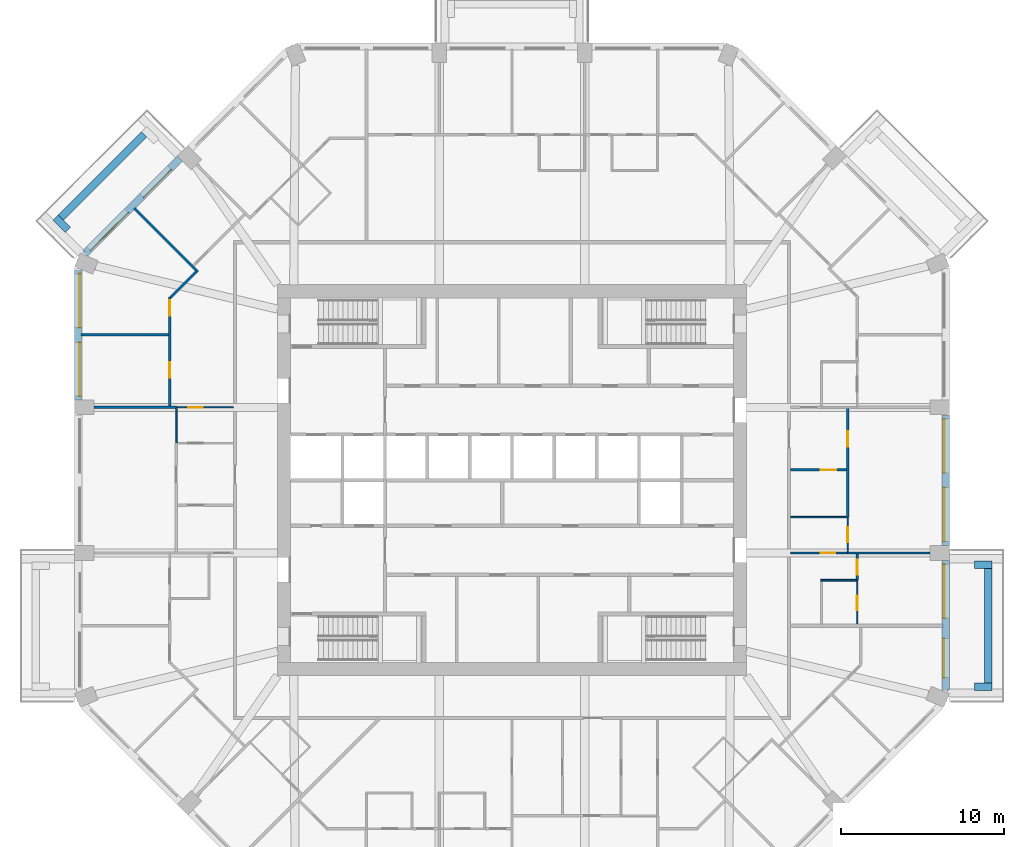
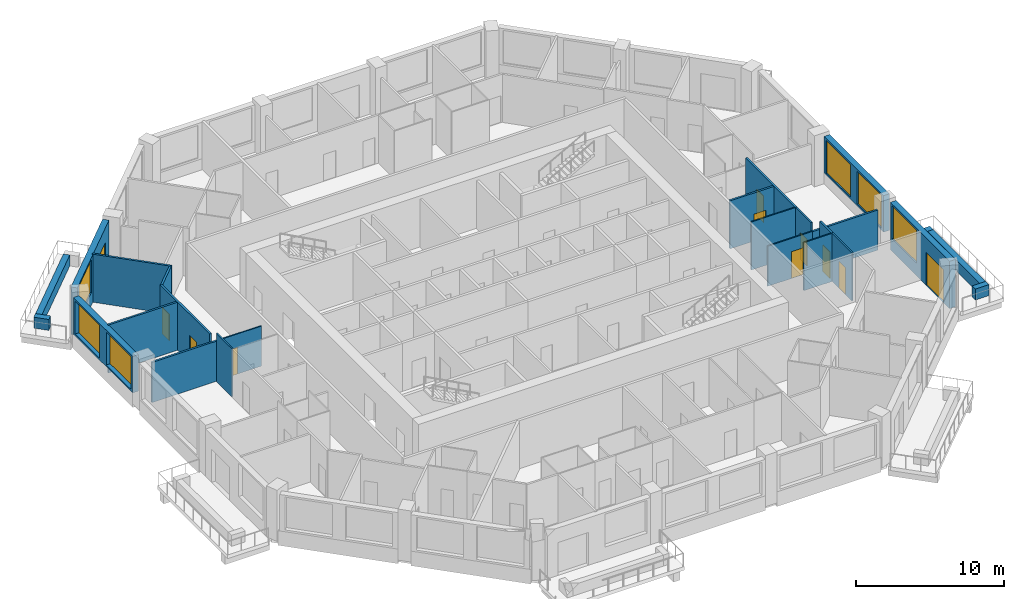
# One storey, part 7 of 12: 25 walls, 11 doors, 6 windows, 17 openings.
"""IFC4 building model written with IfcOpenShell, lengths in metres."""

from ifc_helpers import new_model, si_unit, direction, frame, frame_2d, origin, place, context, subcontext, project, spatial, rectangle, extrude, material, layer, layer_set, type_object, element, fill, save


model = new_model("IFC4")

# Units and contexts
model_context = context("Model", 3, precision=1e-05, world=origin(), true_north=direction((0.0, 1.0)))
body_context = subcontext(model_context, "Body", "Model", "MODEL_VIEW")
ifc_project = project(units=[si_unit("LENGTHUNIT", "METRE"), si_unit("AREAUNIT", "SQUARE_METRE"), si_unit("VOLUMEUNIT", "CUBIC_METRE"), si_unit("PLANEANGLEUNIT", "RADIAN"), si_unit("MASSUNIT", "GRAM", prefix="KILO")], contexts=[model_context])

# Site, building, storey
site_placement = place(None, origin())
site = spatial("IfcSite", under=ifc_project, at=site_placement, CompositionType="ELEMENT")
building_placement = place(site_placement, origin())
building = spatial("IfcBuilding", under=site, at=building_placement, Name="Msitu Wima Residences", CompositionType="ELEMENT")
storey_placement = place(building_placement, frame((0.0, 0.0, 127.5)))
storey = spatial("IfcBuildingStorey", under=building, at=storey_placement, Name="L29", CompositionType="ELEMENT", Elevation=127.5)

# Walls
ifc_material_1 = material(Name="Facing brick")
ifc_layer_1 = layer(ifc_material_1, 0.06494140625, Name="Facing brick")
ifc_material_2 = material(Name="Concrete C40/50", Category="concrete")
ifc_layer_2 = layer(ifc_material_2, 0.156005859375, Name="Concrete C40/50")
ifc_material_3 = material(Name="Waterproofing membrane")
ifc_layer_3 = layer(ifc_material_3, 0.00390625, Name="Waterproofing membrane")
ifc_material_4 = material(Name="Planting soil and planting")
ifc_layer_4 = layer(ifc_material_4, 0.22509765625, Name="Planting soil and planting")
ifc_layer_set_1 = layer_set([ifc_layer_1, ifc_layer_2, ifc_layer_3, ifc_layer_4], Name="Concrete C40/50")
wall_type_1 = type_object("IfcWallType", Name="Balcony planter PLANTER PL450", PredefinedType="USERDEFINED", material=ifc_layer_set_1)
wall_1_placement = place(storey_placement, frame((29.22509765625, -12.455810546875, 0.0), z_axis=(0.0, 0.0, 1.0), x_axis=(0.0, 1.0, 0.0)))
element("IfcWall", 1, at=wall_1_placement, inside=storey, type_object=wall_type_1, Name="Balcony planter E0 L29", ObjectType="PLANTER", PredefinedType="USERDEFINED", context=body_context, shape_type="SweptSolid", body=[
    extrude(rectangle(XDim=7.037109375, YDim=0.449951171875, at=frame_2d((3.5185546875, 0.0))), origin(), (0.0, 0.0, 1.0), 0.89990234375),
])
for number, where, z_axis, x_axis, name in (
    (2, (28.39990234375, -12.680908203125, 0.0), (0.0, 0.0, 1.0), (1.0, 0.0, 0.0), "Balcony planter E0 L29"),
    (3, (28.39990234375, -5.193603515625, 0.0), (0.0, 0.0, 1.0), (1.0, 0.0, 0.0), "Balcony planter E0 L29"),
):
    element("IfcWall", number, at=place(storey_placement, frame(where, z_axis=z_axis, x_axis=x_axis)), inside=storey, type_object=wall_type_1, Name=name, ObjectType="PLANTER", PredefinedType="USERDEFINED", context=body_context, shape_type="SweptSolid", body=[
        extrude(rectangle(XDim=1.050048828125, YDim=0.449951171875, at=frame_2d((0.52490234375, 0.0))), origin(), (0.0, 0.0, 1.0), 0.89990234375),
    ])
wall_2_placement = place(storey_placement, frame((-22.572265625, 21.228759765625, 0.0), z_axis=(0.0, 0.0, 1.0), x_axis=(-0.707106781187, -0.707106781187, 0.0)))
element("IfcWall", 4, at=wall_2_placement, inside=storey, type_object=wall_type_1, Name="Balcony planter NW1 L29", ObjectType="PLANTER", PredefinedType="USERDEFINED", context=body_context, shape_type="SweptSolid", body=[
    extrude(rectangle(XDim=7.23828125, YDim=0.449951171875, at=frame_2d((3.619140625, 0.0))), origin(), (0.0, 0.0, 1.0), 0.89990234375),
])
wall_3_placement = place(storey_placement, frame((-27.26611328125, 15.3681640625, 0.0), z_axis=(0.0, 0.0, 1.0), x_axis=(-0.707223014731, 0.706990528533, 0.0)))
element("IfcWall", 5, at=wall_3_placement, inside=storey, type_object=wall_type_1, Name="Balcony planter NW1 L29", ObjectType="PLANTER", PredefinedType="USERDEFINED", context=body_context, shape_type="SweptSolid", body=[
    extrude(rectangle(XDim=1.050048828125, YDim=0.449951171875, at=frame_2d((0.52490234375, 0.0))), origin(), (0.0, 0.0, 1.0), 0.89990234375),
])

# Wall, openings, door, window
ifc_material_5 = material(Name="Brick (red buff mix)", Category="masonry")
ifc_layer_5 = layer(ifc_material_5, 0.449951171875)
ifc_layer_set_2 = layer_set([ifc_layer_5], Name="Brick (red buff mix)")
wall_type_2 = type_object("IfcWallType", Name="Brick infill wall BW450", PredefinedType="SOLIDWALL", material=ifc_layer_set_2)
wall_4_placement = place(storey_placement, frame((26.625, -12.918701171875, 0.0), z_axis=(0.0, 0.0, 1.0), x_axis=(0.0, 1.0, 0.0)))
wall_4 = element("IfcWall", 6, at=wall_4_placement, inside=storey, type_object=wall_type_2, Name="Brick infill wall L29 E0", PredefinedType="SOLIDWALL", context=body_context, shape_type="SweptSolid", body=[
    extrude(rectangle(XDim=8.0, YDim=0.449951171875, at=frame_2d((4.0, 0.0))), origin(), (0.0, 0.0, 1.0), 3.89990234375),
])
opening_1_placement = place(wall_4_placement, frame((0.800048828125, 0.0, 0.0)))
opening_1 = element("IfcOpeningElement", 7, at=opening_1_placement, cuts=wall_4, Name="Opening D27-29.001", PredefinedType="OPENING", context=body_context, shape_type="SweptSolid", body=[
    extrude(rectangle(XDim=2.39990234375, YDim=2.699951171875, at=frame_2d((1.199951171875, 1.35009765625))), frame((0.0, 0.23486328125, 0.0), z_axis=(0.0, -1.0, 0.0), x_axis=(1.0, 0.0, 0.0)), (0.0, 0.0, 1.0), 0.469970703125),
])
opening_2_placement = place(wall_4_placement, frame((4.4501953125, 0.0, 1.050048828125)))
opening_2 = element("IfcOpeningElement", 8, at=opening_2_placement, cuts=wall_4, Name="Opening W27-29.001", PredefinedType="OPENING", context=body_context, shape_type="SweptSolid", body=[
    extrude(rectangle(XDim=3.300048828125, YDim=2.699951171875, at=frame_2d((1.64990234375, 1.35009765625))), frame((0.0, 0.23486328125, 0.0), z_axis=(0.0, -1.0, 0.0), x_axis=(1.0, 0.0, 0.0)), (0.0, 0.0, 1.0), 0.469970703125),
])
ifc_material_6 = material(Name="Anodised aluminium, bronze finish, clear low-emissivity double glazing", Category="aluminium")
door_type_1 = type_object("IfcDoorType", Name="Balcony door D2400x2700", OperationType="SLIDING_TO_LEFT", PredefinedType="DOOR", material=ifc_material_6)
door_1_placement = place(opening_1_placement, origin())
door_1 = element("IfcDoor", 9, at=door_1_placement, inside=storey, type_object=door_type_1, Name="Balcony door L29 E0", OperationType="SINGLE_SWING_LEFT", OverallHeight=2.699951171875, OverallWidth=2.39990234375, PredefinedType="DOOR", context=body_context, shape_type="SweptSolid", body=[
    extrude(rectangle(XDim=2.39990234375, YDim=2.699951171875, at=frame_2d((1.199951171875, 1.35009765625))), frame((0.0, 0.1298828125, 0.0), z_axis=(0.0, -1.0, 0.0), x_axis=(1.0, 0.0, 0.0)), (0.0, 0.0, 1.0), 0.050048828125),
])
fill(opening_1, door_1)
window_type = type_object("IfcWindowType", Name="Window W3300x2700", PartitioningType="DOUBLE_PANEL_VERTICAL", PredefinedType="WINDOW", material=ifc_material_6)
window_1_placement = place(opening_2_placement, origin())
window_1 = element("IfcWindow", 10, at=window_1_placement, inside=storey, type_object=window_type, Name="Window L29 E0.2", OverallHeight=2.699951171875, OverallWidth=3.300048828125, PartitioningType="SINGLE_PANEL", PredefinedType="WINDOW", context=body_context, shape_type="SweptSolid", body=[
    extrude(rectangle(XDim=3.300048828125, YDim=2.699951171875, at=frame_2d((1.64990234375, 1.35009765625))), frame((0.0, 0.135009765625, 0.0), z_axis=(0.0, -1.0, 0.0), x_axis=(1.0, 0.0, 0.0)), (0.0, 0.0, 1.0), 0.06005859375),
])
fill(opening_2, window_1)

# Wall, openings, windows
wall_5_placement = place(storey_placement, frame((26.625, -4.0185546875, 0.89990234375), z_axis=(0.0, 0.0, 1.0), x_axis=(0.0, 1.0, 0.0)))
wall_5 = element("IfcWall", 11, at=wall_5_placement, inside=storey, type_object=wall_type_2, Name="Brick infill wall L29 E1", PredefinedType="SOLIDWALL", context=body_context, shape_type="SweptSolid", body=[
    extrude(rectangle(XDim=8.037109375, YDim=0.449951171875, at=frame_2d((4.0185546875, 0.0))), origin(), (0.0, 0.0, 1.0), 3.0),
])
opening_3_placement = place(wall_5_placement, frame((0.2685546875, 0.0, 0.14990234375)))
opening_3 = element("IfcOpeningElement", 12, at=opening_3_placement, cuts=wall_5, Name="Opening W27-29.002", PredefinedType="OPENING", context=body_context, shape_type="SweptSolid", body=[
    extrude(rectangle(XDim=3.300048828125, YDim=2.699951171875, at=frame_2d((1.64990234375, 1.35009765625))), frame((0.0, 0.23486328125, 0.0), z_axis=(0.0, -1.0, 0.0), x_axis=(1.0, 0.0, 0.0)), (0.0, 0.0, 1.0), 0.469970703125),
])
opening_4_placement = place(wall_5_placement, frame((4.46875, 0.0, 0.14990234375)))
opening_4 = element("IfcOpeningElement", 13, at=opening_4_placement, cuts=wall_5, Name="Opening W27-29.003", PredefinedType="OPENING", context=body_context, shape_type="SweptSolid", body=[
    extrude(rectangle(XDim=3.300048828125, YDim=2.699951171875, at=frame_2d((1.64990234375, 1.35009765625))), frame((0.0, 0.23486328125, 0.0), z_axis=(0.0, -1.0, 0.0), x_axis=(1.0, 0.0, 0.0)), (0.0, 0.0, 1.0), 0.469970703125),
])
window_2_placement = place(opening_3_placement, origin())
window_2 = element("IfcWindow", 14, at=window_2_placement, inside=storey, type_object=window_type, Name="Window L29 E1.1", OverallHeight=2.699951171875, OverallWidth=3.300048828125, PartitioningType="SINGLE_PANEL", PredefinedType="WINDOW", context=body_context, shape_type="SweptSolid", body=[
    extrude(rectangle(XDim=3.300048828125, YDim=2.699951171875, at=frame_2d((1.64990234375, 1.35009765625))), frame((0.0, 0.135009765625, 0.0), z_axis=(0.0, -1.0, 0.0), x_axis=(1.0, 0.0, 0.0)), (0.0, 0.0, 1.0), 0.06005859375),
])
fill(opening_3, window_2)
window_3_placement = place(opening_4_placement, origin())
window_3 = element("IfcWindow", 15, at=window_3_placement, inside=storey, type_object=window_type, Name="Window L29 E1.2", OverallHeight=2.699951171875, OverallWidth=3.300048828125, PartitioningType="SINGLE_PANEL", PredefinedType="WINDOW", context=body_context, shape_type="SweptSolid", body=[
    extrude(rectangle(XDim=3.300048828125, YDim=2.699951171875, at=frame_2d((1.64990234375, 1.35009765625))), frame((0.0, 0.135009765625, 0.0), z_axis=(0.0, -1.0, 0.0), x_axis=(1.0, 0.0, 0.0)), (0.0, 0.0, 1.0), 0.06005859375),
])
fill(opening_4, window_3)

# Wall, openings, door, window
wall_6_placement = place(storey_placement, frame((-20.380126953125, 19.743896484375, 0.0), z_axis=(0.0, 0.0, 1.0), x_axis=(-0.707106781187, -0.707106781187, 0.0)))
wall_6 = element("IfcWall", 16, at=wall_6_placement, inside=storey, type_object=wall_type_2, Name="Brick infill wall L29 NW1", PredefinedType="SOLIDWALL", context=body_context, shape_type="SweptSolid", body=[
    extrude(rectangle(XDim=8.251220703125, YDim=0.449951171875, at=frame_2d((4.12548828125, 0.0))), origin(), (0.0, 0.0, 1.0), 3.89990234375),
])
opening_5_placement = place(wall_6_placement, frame((0.86279296875, 0.0, 0.0)))
opening_5 = element("IfcOpeningElement", 17, at=opening_5_placement, cuts=wall_6, Name="Opening D27-29.004", PredefinedType="OPENING", context=body_context, shape_type="SweptSolid", body=[
    extrude(rectangle(XDim=2.39990234375, YDim=2.699951171875, at=frame_2d((1.199951171875, 1.35009765625))), frame((0.0, 0.23486328125, 0.0), z_axis=(0.0, -1.0, 0.0), x_axis=(1.0, 0.0, 0.0)), (0.0, 0.0, 1.0), 0.469970703125),
])
opening_6_placement = place(wall_6_placement, frame((4.57568359375, 0.0, 1.050048828125)))
opening_6 = element("IfcOpeningElement", 18, at=opening_6_placement, cuts=wall_6, Name="Opening W27-29.016", PredefinedType="OPENING", context=body_context, shape_type="SweptSolid", body=[
    extrude(rectangle(XDim=3.300048828125, YDim=2.699951171875, at=frame_2d((1.64990234375, 1.35009765625))), frame((0.0, 0.23486328125, 0.0), z_axis=(0.0, -1.0, 0.0), x_axis=(1.0, 0.0, 0.0)), (0.0, 0.0, 1.0), 0.469970703125),
])
door_2_placement = place(opening_5_placement, origin())
door_2 = element("IfcDoor", 19, at=door_2_placement, inside=storey, type_object=door_type_1, Name="Balcony door L29 NW1", OperationType="SINGLE_SWING_LEFT", OverallHeight=2.699951171875, OverallWidth=2.39990234375, PredefinedType="DOOR", context=body_context, shape_type="SweptSolid", body=[
    extrude(rectangle(XDim=2.39990234375, YDim=2.699951171875, at=frame_2d((1.199951171875, 1.35009765625))), frame((0.0, 0.1298828125, 0.0), z_axis=(0.0, -1.0, 0.0), x_axis=(1.0, 0.0, 0.0)), (0.0, 0.0, 1.0), 0.050048828125),
])
fill(opening_5, door_2)
window_4_placement = place(opening_6_placement, origin())
window_4 = element("IfcWindow", 20, at=window_4_placement, inside=storey, type_object=window_type, Name="Window L29 NW1.2", OverallHeight=2.699951171875, OverallWidth=3.300048828125, PartitioningType="SINGLE_PANEL", PredefinedType="WINDOW", context=body_context, shape_type="SweptSolid", body=[
    extrude(rectangle(XDim=3.300048828125, YDim=2.699951171875, at=frame_2d((1.64990234375, 1.35009765625))), frame((0.0, 0.135009765625, 0.0), z_axis=(0.0, -1.0, 0.0), x_axis=(1.0, 0.0, 0.0)), (0.0, 0.0, 1.0), 0.06005859375),
])
fill(opening_6, window_4)

# Wall, openings, windows
wall_7_placement = place(storey_placement, frame((-26.625, 12.918701171875, 0.89990234375), z_axis=(0.0, 0.0, 1.0), x_axis=(0.0, -1.0, 0.0)))
wall_7 = element("IfcWall", 21, at=wall_7_placement, inside=storey, type_object=wall_type_2, Name="Brick infill wall L29 W0", PredefinedType="SOLIDWALL", context=body_context, shape_type="SweptSolid", body=[
    extrude(rectangle(XDim=8.0, YDim=0.449951171875, at=frame_2d((4.0, 0.0))), origin(), (0.0, 0.0, 1.0), 3.0),
])
opening_7_placement = place(wall_7_placement, frame((0.25, 0.0, 0.14990234375)))
opening_7 = element("IfcOpeningElement", 22, at=opening_7_placement, cuts=wall_7, Name="Opening W27-29.029", PredefinedType="OPENING", context=body_context, shape_type="SweptSolid", body=[
    extrude(rectangle(XDim=3.300048828125, YDim=2.699951171875, at=frame_2d((1.64990234375, 1.35009765625))), frame((0.0, 0.23486328125, 0.0), z_axis=(0.0, -1.0, 0.0), x_axis=(1.0, 0.0, 0.0)), (0.0, 0.0, 1.0), 0.469970703125),
])
opening_8_placement = place(wall_7_placement, frame((4.4501953125, 0.0, 0.14990234375)))
opening_8 = element("IfcOpeningElement", 23, at=opening_8_placement, cuts=wall_7, Name="Opening W27-29.030", PredefinedType="OPENING", context=body_context, shape_type="SweptSolid", body=[
    extrude(rectangle(XDim=3.300048828125, YDim=2.699951171875, at=frame_2d((1.64990234375, 1.35009765625))), frame((0.0, 0.23486328125, 0.0), z_axis=(0.0, -1.0, 0.0), x_axis=(1.0, 0.0, 0.0)), (0.0, 0.0, 1.0), 0.469970703125),
])
window_5_placement = place(opening_7_placement, origin())
window_5 = element("IfcWindow", 24, at=window_5_placement, inside=storey, type_object=window_type, Name="Window L29 W0.1", OverallHeight=2.699951171875, OverallWidth=3.300048828125, PartitioningType="SINGLE_PANEL", PredefinedType="WINDOW", context=body_context, shape_type="SweptSolid", body=[
    extrude(rectangle(XDim=3.300048828125, YDim=2.699951171875, at=frame_2d((1.64990234375, 1.35009765625))), frame((0.0, 0.135009765625, 0.0), z_axis=(0.0, -1.0, 0.0), x_axis=(1.0, 0.0, 0.0)), (0.0, 0.0, 1.0), 0.06005859375),
])
fill(opening_7, window_5)
window_6_placement = place(opening_8_placement, origin())
window_6 = element("IfcWindow", 25, at=window_6_placement, inside=storey, type_object=window_type, Name="Window L29 W0.2", OverallHeight=2.699951171875, OverallWidth=3.300048828125, PartitioningType="SINGLE_PANEL", PredefinedType="WINDOW", context=body_context, shape_type="SweptSolid", body=[
    extrude(rectangle(XDim=3.300048828125, YDim=2.699951171875, at=frame_2d((1.64990234375, 1.35009765625))), frame((0.0, 0.135009765625, 0.0), z_axis=(0.0, -1.0, 0.0), x_axis=(1.0, 0.0, 0.0)), (0.0, 0.0, 1.0), 0.06005859375),
])
fill(opening_8, window_6)

# Walls
ifc_material_7 = material(Name="Plaster")
ifc_layer_6 = layer(ifc_material_7, 0.011962890625, Name="Plaster")
ifc_material_8 = material(Name="Concrete blockwork", Category="masonry")
ifc_layer_7 = layer(ifc_material_8, 0.1259765625, Name="Concrete blockwork")
ifc_layer_8 = layer(ifc_material_7, 0.011962890625, Name="Plaster")
ifc_layer_set_3 = layer_set([ifc_layer_6, ifc_layer_7, ifc_layer_8], Name="Concrete blockwork")
wall_type_3 = type_object("IfcWallType", Name="Partition PW150", PredefinedType="PARTITIONING", material=ifc_layer_set_3)
wall_8_placement = place(storey_placement, frame((-25.64990234375, 4.46875, 0.0), z_axis=(0.0, 0.0, 1.0), x_axis=(1.0, 0.0, 0.0)))
element("IfcWall", 26, at=wall_8_placement, inside=storey, type_object=wall_type_3, Name="Partition", PredefinedType="PARTITIONING", context=body_context, shape_type="SweptSolid", body=[
    extrude(rectangle(XDim=5.06982421875, YDim=0.14990234375, at=frame_2d((2.534912109375, 0.0))), origin(), (0.0, 0.0, 1.0), 3.300048828125),
])
wall_9_placement = place(storey_placement, frame((-26.455078125, 8.937255859375, 0.0), z_axis=(0.0, 0.0, 1.0), x_axis=(1.0, 0.0, 0.0)))
element("IfcWall", 27, at=wall_9_placement, inside=storey, type_object=wall_type_3, Name="Partition", PredefinedType="PARTITIONING", context=body_context, shape_type="SweptSolid", body=[
    extrude(rectangle(XDim=5.380126953125, YDim=0.14990234375, at=frame_2d((2.68994140625, 0.0))), origin(), (0.0, 0.0, 1.0), 3.949951171875),
])
wall_10_placement = place(storey_placement, frame((-23.1904296875, 16.693359375, 0.0), z_axis=(0.0, 0.0, 1.0), x_axis=(0.707106781187, -0.707106781187, 0.0)))
element("IfcWall", 28, at=wall_10_placement, inside=storey, type_object=wall_type_3, Name="Partition", PredefinedType="PARTITIONING", context=body_context, shape_type="SweptSolid", body=[
    extrude(rectangle(XDim=5.530029296875, YDim=0.14990234375, at=frame_2d((2.76513671875, 0.0))), origin(), (0.0, 0.0, 1.0), 3.949951171875),
])

# Wall, openings, doors
wall_11_placement = place(storey_placement, frame((-21.0, 4.543701171875, 0.0), z_axis=(0.0, 0.0, 1.0), x_axis=(0.0, 1.0, 0.0)))
wall_11 = element("IfcWall", 29, at=wall_11_placement, inside=storey, type_object=wall_type_3, Name="Partition", PredefinedType="PARTITIONING", context=body_context, shape_type="SweptSolid", body=[
    extrude(rectangle(XDim=6.700439453125, YDim=0.14990234375, at=frame_2d((3.35009765625, 0.0))), origin(), (0.0, 0.0, 1.0), 3.949951171875),
])
opening_9_placement = place(wall_11_placement, frame((1.75, 0.0, 0.0)))
opening_9 = element("IfcOpeningElement", 30, at=opening_9_placement, cuts=wall_11, Name="Opening D27-29.054", PredefinedType="OPENING", context=body_context, shape_type="SweptSolid", body=[
    extrude(rectangle(XDim=0.949951171875, YDim=2.199951171875, at=frame_2d((0.47509765625, 1.10009765625))), frame((0.0, 0.0849609375, 0.0), z_axis=(0.0, -1.0, 0.0), x_axis=(1.0, 0.0, 0.0)), (0.0, 0.0, 1.0), 0.169921875),
])
opening_10_placement = place(wall_11_placement, frame((5.550048828125, 0.0, 0.0)))
opening_10 = element("IfcOpeningElement", 31, at=opening_10_placement, cuts=wall_11, Name="Opening D27-29.063", PredefinedType="OPENING", context=body_context, shape_type="SweptSolid", body=[
    extrude(rectangle(XDim=0.949951171875, YDim=2.199951171875, at=frame_2d((0.47509765625, 1.10009765625))), frame((0.0, 0.0849609375, 0.0), z_axis=(0.0, -1.0, 0.0), x_axis=(1.0, 0.0, 0.0)), (0.0, 0.0, 1.0), 0.169921875),
])
ifc_material_9 = material(Name="Timber flush door", Category="wood")
door_type_2 = type_object("IfcDoorType", Name="Room door D12 950x2200", OperationType="SINGLE_SWING_LEFT", PredefinedType="DOOR", material=ifc_material_9)
door_3_placement = place(opening_9_placement, origin())
door_3 = element("IfcDoor", 32, at=door_3_placement, inside=storey, type_object=door_type_2, Name="Room door", OperationType="SINGLE_SWING_RIGHT", OverallHeight=2.199951171875, OverallWidth=0.949951171875, PredefinedType="DOOR", context=body_context, shape_type="SweptSolid", body=[
    extrude(rectangle(XDim=0.949951171875, YDim=2.199951171875, at=frame_2d((0.47509765625, 1.10009765625))), frame((0.0, 0.02490234375, 0.0), z_axis=(0.0, -1.0, 0.0), x_axis=(1.0, 0.0, 0.0)), (0.0, 0.0, 1.0), 0.050048828125),
])
fill(opening_9, door_3)
door_4_placement = place(opening_10_placement, origin())
door_4 = element("IfcDoor", 33, at=door_4_placement, inside=storey, type_object=door_type_2, Name="Room door", OperationType="SINGLE_SWING_LEFT", OverallHeight=2.199951171875, OverallWidth=0.949951171875, PredefinedType="DOOR", context=body_context, shape_type="SweptSolid", body=[
    extrude(rectangle(XDim=0.949951171875, YDim=2.199951171875, at=frame_2d((0.47509765625, 1.10009765625))), frame((0.0, 0.02490234375, 0.0), z_axis=(0.0, -1.0, 0.0), x_axis=(1.0, 0.0, 0.0)), (0.0, 0.0, 1.0), 0.050048828125),
])
fill(opening_10, door_4)

# Wall
wall_12_placement = place(storey_placement, frame((-20.947021484375, 11.22216796875, 0.0), z_axis=(0.0, 0.0, 1.0), x_axis=(0.707106781187, 0.707106781187, 0.0)))
element("IfcWall", 34, at=wall_12_placement, inside=storey, type_object=wall_type_3, Name="Partition", PredefinedType="PARTITIONING", context=body_context, shape_type="SweptSolid", body=[
    extrude(rectangle(XDim=2.207275390625, YDim=0.14990234375, at=frame_2d((1.103515625, 0.0))), origin(), (0.0, 0.0, 1.0), 3.949951171875),
])

# Wall, opening, door
wall_13_placement = place(storey_placement, frame((17.10009765625, 0.63134765625, 0.0), z_axis=(0.0, 0.0, 1.0), x_axis=(1.0, 0.0, 0.0)))
wall_13 = element("IfcWall", 35, at=wall_13_placement, inside=storey, type_object=wall_type_3, Name="Partition", PredefinedType="PARTITIONING", context=body_context, shape_type="SweptSolid", body=[
    extrude(rectangle(XDim=3.4248046875, YDim=0.14990234375, at=frame_2d((1.71240234375, 0.0))), origin(), (0.0, 0.0, 1.0), 3.949951171875),
])
opening_11_placement = place(wall_13_placement, frame((1.85009765625, 0.0, 0.0)))
opening_11 = element("IfcOpeningElement", 36, at=opening_11_placement, cuts=wall_13, Name="Opening D27-29.040", PredefinedType="OPENING", context=body_context, shape_type="SweptSolid", body=[
    extrude(rectangle(XDim=0.949951171875, YDim=2.199951171875, at=frame_2d((0.47509765625, 1.10009765625))), frame((0.0, 0.0849609375, 0.0), z_axis=(0.0, -1.0, 0.0), x_axis=(1.0, 0.0, 0.0)), (0.0, 0.0, 1.0), 0.169921875),
])
door_5_placement = place(opening_11_placement, origin())
door_5 = element("IfcDoor", 37, at=door_5_placement, inside=storey, type_object=door_type_2, Name="Room door", OperationType="SINGLE_SWING_LEFT", OverallHeight=2.199951171875, OverallWidth=0.949951171875, PredefinedType="DOOR", context=body_context, shape_type="SweptSolid", body=[
    extrude(rectangle(XDim=0.949951171875, YDim=2.199951171875, at=frame_2d((0.47509765625, 1.10009765625))), frame((0.0, 0.02490234375, 0.0), z_axis=(0.0, -1.0, 0.0), x_axis=(1.0, 0.0, 0.0)), (0.0, 0.0, 1.0), 0.050048828125),
])
fill(opening_11, door_5)

# Wall
wall_14_placement = place(storey_placement, frame((20.580078125, -4.46875, 0.0), z_axis=(0.0, 0.0, 1.0), x_axis=(1.0, 0.0, 0.0)))
element("IfcWall", 38, at=wall_14_placement, inside=storey, type_object=wall_type_3, Name="Partition", PredefinedType="PARTITIONING", context=body_context, shape_type="SweptSolid", body=[
    extrude(rectangle(XDim=5.06982421875, YDim=0.14990234375, at=frame_2d((2.534912109375, 0.0))), origin(), (0.0, 0.0, 1.0), 3.300048828125),
])

# Wall, opening, door
wall_15_placement = place(storey_placement, frame((20.60009765625, -2.28857421875, 0.0), z_axis=(0.0, 0.0, 1.0), x_axis=(0.0, 1.0, 0.0)))
wall_15 = element("IfcWall", 39, at=wall_15_placement, inside=storey, type_object=wall_type_3, Name="Partition", PredefinedType="PARTITIONING", context=body_context, shape_type="SweptSolid", body=[
    extrude(rectangle(XDim=6.707275390625, YDim=0.14990234375, at=frame_2d((3.353515625, 0.0))), origin(), (0.0, 0.0, 1.0), 3.949951171875),
])
opening_12_placement = place(wall_15_placement, frame((4.35009765625, 0.0, 0.0)))
opening_12 = element("IfcOpeningElement", 40, at=opening_12_placement, cuts=wall_15, Name="Opening D27-29.037", PredefinedType="OPENING", context=body_context, shape_type="SweptSolid", body=[
    extrude(rectangle(XDim=0.949951171875, YDim=2.199951171875, at=frame_2d((0.47509765625, 1.10009765625))), frame((0.0, 0.0849609375, 0.0), z_axis=(0.0, -1.0, 0.0), x_axis=(1.0, 0.0, 0.0)), (0.0, 0.0, 1.0), 0.169921875),
])
door_6_placement = place(opening_12_placement, origin())
door_6 = element("IfcDoor", 41, at=door_6_placement, inside=storey, type_object=door_type_2, Name="Room door", OperationType="SINGLE_SWING_LEFT", OverallHeight=2.199951171875, OverallWidth=0.949951171875, PredefinedType="DOOR", context=body_context, shape_type="SweptSolid", body=[
    extrude(rectangle(XDim=0.949951171875, YDim=2.199951171875, at=frame_2d((0.47509765625, 1.10009765625))), frame((0.0, 0.02490234375, 0.0), z_axis=(0.0, -1.0, 0.0), x_axis=(1.0, 0.0, 0.0)), (0.0, 0.0, 1.0), 0.050048828125),
])
fill(opening_12, door_6)

wall_16_placement = place(storey_placement, frame((21.199951171875, -6.1171875, 0.0), z_axis=(0.0, 0.0, 1.0), x_axis=(0.0, 1.0, 0.0)))
wall_16 = element("IfcWall", 42, at=wall_16_placement, inside=storey, type_object=wall_type_3, Name="Partition", PredefinedType="PARTITIONING", context=body_context, shape_type="SweptSolid", body=[
    extrude(rectangle(XDim=1.573486328125, YDim=0.14990234375, at=frame_2d((0.78662109375, 0.0))), origin(), (0.0, 0.0, 1.0), 3.949951171875),
])
opening_13_placement = place(wall_16_placement, frame((0.300048828125, 0.0, 0.0)))
opening_13 = element("IfcOpeningElement", 43, at=opening_13_placement, cuts=wall_16, Name="Opening D27-29.046", PredefinedType="OPENING", context=body_context, shape_type="SweptSolid", body=[
    extrude(rectangle(XDim=0.949951171875, YDim=2.199951171875, at=frame_2d((0.47509765625, 1.10009765625))), frame((0.0, 0.0849609375, 0.0), z_axis=(0.0, -1.0, 0.0), x_axis=(1.0, 0.0, 0.0)), (0.0, 0.0, 1.0), 0.169921875),
])
door_7_placement = place(opening_13_placement, origin())
door_7 = element("IfcDoor", 44, at=door_7_placement, inside=storey, type_object=door_type_2, Name="Room door", OperationType="SINGLE_SWING_LEFT", OverallHeight=2.199951171875, OverallWidth=0.949951171875, PredefinedType="DOOR", context=body_context, shape_type="SweptSolid", body=[
    extrude(rectangle(XDim=0.949951171875, YDim=2.199951171875, at=frame_2d((0.47509765625, 1.10009765625))), frame((0.0, 0.02490234375, 0.0), z_axis=(0.0, -1.0, 0.0), x_axis=(1.0, 0.0, 0.0)), (0.0, 0.0, 1.0), 0.050048828125),
])
fill(opening_13, door_7)

ifc_material_10 = material(Name="Ceramic tiles")
ifc_layer_9 = layer(ifc_material_10, 0.008056640625, Name="Ceramic tiles")
ifc_material_11 = material(Name="Moisture-resistant board")
ifc_layer_10 = layer(ifc_material_11, 0.012451171875, Name="Moisture-resistant board")
ifc_material_12 = material(Name="Light-gauge stud framing with mineral wool")
ifc_layer_11 = layer(ifc_material_12, 0.06689453125, Name="Light-gauge stud framing with mineral wool")
ifc_layer_12 = layer(ifc_material_11, 0.012451171875, Name="Moisture-resistant board")
ifc_layer_set_4 = layer_set([ifc_layer_9, ifc_layer_10, ifc_layer_11, ifc_layer_12], Name="Light-gauge stud framing with mineral wool")
wall_type_4 = type_object("IfcWallType", Name="Wet wall PW100", PredefinedType="PARTITIONING", material=ifc_layer_set_4)
wall_17_placement = place(storey_placement, frame((-20.580078125, 4.46875, 0.0), z_axis=(0.0, 0.0, 1.0), x_axis=(1.0, 0.0, 0.0)))
wall_17 = element("IfcWall", 45, at=wall_17_placement, inside=storey, type_object=wall_type_4, Name="Wet wall", PredefinedType="PARTITIONING", context=body_context, shape_type="SweptSolid", body=[
    extrude(rectangle(XDim=3.47998046875, YDim=0.10009765625, at=frame_2d((1.739990234375, 0.0))), origin(), (0.0, 0.0, 1.0), 3.300048828125),
])
opening_14_placement = place(wall_17_placement, frame((0.699951171875, 0.0, 0.0)))
opening_14 = element("IfcOpeningElement", 46, at=opening_14_placement, cuts=wall_17, Name="Opening D27-29.052", PredefinedType="OPENING", context=body_context, shape_type="SweptSolid", body=[
    extrude(rectangle(XDim=0.89990234375, YDim=2.199951171875, at=frame_2d((0.449951171875, 1.10009765625))), frame((0.0, 0.06005859375, 0.0), z_axis=(0.0, -1.0, 0.0), x_axis=(1.0, 0.0, 0.0)), (0.0, 0.0, 1.0), 0.1201171875),
])
ifc_material_13 = material(Name="Timber flush door, moisture resistant", Category="wood")
door_type_3 = type_object("IfcDoorType", Name="Bathroom door D03 900x2200", OperationType="SINGLE_SWING_LEFT", PredefinedType="DOOR", material=ifc_material_13)
door_8_placement = place(opening_14_placement, origin())
door_8 = element("IfcDoor", 47, at=door_8_placement, inside=storey, type_object=door_type_3, Name="Bathroom door", OperationType="SINGLE_SWING_RIGHT", OverallHeight=2.199951171875, OverallWidth=0.89990234375, PredefinedType="DOOR", context=body_context, shape_type="SweptSolid", body=[
    extrude(rectangle(XDim=0.89990234375, YDim=2.199951171875, at=frame_2d((0.449951171875, 1.10009765625))), frame((0.0, 0.02490234375, 0.0), z_axis=(0.0, -1.0, 0.0), x_axis=(1.0, 0.0, 0.0)), (0.0, 0.0, 1.0), 0.050048828125),
])
fill(opening_14, door_8)

# Wall
wall_18_placement = place(storey_placement, frame((-20.60009765625, 2.28857421875, 0.0), z_axis=(0.0, 0.0, 1.0), x_axis=(0.0, 1.0, 0.0)))
element("IfcWall", 48, at=wall_18_placement, inside=storey, type_object=wall_type_4, Name="Wet wall", PredefinedType="PARTITIONING", context=body_context, shape_type="SweptSolid", body=[
    extrude(rectangle(XDim=2.10498046875, YDim=0.10009765625, at=frame_2d((1.052490234375, 0.0))), origin(), (0.0, 0.0, 1.0), 3.949951171875),
])

# Wall, opening, door
wall_19_placement = place(storey_placement, frame((17.10009765625, -4.46875, 0.0), z_axis=(0.0, 0.0, 1.0), x_axis=(1.0, 0.0, 0.0)))
wall_19 = element("IfcWall", 49, at=wall_19_placement, inside=storey, type_object=wall_type_4, Name="Wet wall", PredefinedType="PARTITIONING", context=body_context, shape_type="SweptSolid", body=[
    extrude(rectangle(XDim=3.47998046875, YDim=0.10009765625, at=frame_2d((1.739990234375, 0.0))), origin(), (0.0, 0.0, 1.0), 3.300048828125),
])
opening_15_placement = place(wall_19_placement, frame((1.85009765625, 0.0, 0.0)))
opening_15 = element("IfcOpeningElement", 50, at=opening_15_placement, cuts=wall_19, Name="Opening D27-29.045", PredefinedType="OPENING", context=body_context, shape_type="SweptSolid", body=[
    extrude(rectangle(XDim=0.89990234375, YDim=2.199951171875, at=frame_2d((0.449951171875, 1.10009765625))), frame((0.0, 0.06005859375, 0.0), z_axis=(0.0, -1.0, 0.0), x_axis=(1.0, 0.0, 0.0)), (0.0, 0.0, 1.0), 0.1201171875),
])
door_9_placement = place(opening_15_placement, origin())
door_9 = element("IfcDoor", 51, at=door_9_placement, inside=storey, type_object=door_type_3, Name="Bathroom door", OperationType="SINGLE_SWING_RIGHT", OverallHeight=2.199951171875, OverallWidth=0.89990234375, PredefinedType="DOOR", context=body_context, shape_type="SweptSolid", body=[
    extrude(rectangle(XDim=0.89990234375, YDim=2.199951171875, at=frame_2d((0.449951171875, 1.10009765625))), frame((0.0, 0.02490234375, 0.0), z_axis=(0.0, -1.0, 0.0), x_axis=(1.0, 0.0, 0.0)), (0.0, 0.0, 1.0), 0.050048828125),
])
fill(opening_15, door_9)

# Walls
wall_20_placement = place(storey_placement, frame((17.10009765625, -2.2685546875, 0.0), z_axis=(0.0, 0.0, 1.0), x_axis=(1.0, 0.0, 0.0)))
element("IfcWall", 52, at=wall_20_placement, inside=storey, type_object=wall_type_4, Name="Wet wall", PredefinedType="PARTITIONING", context=body_context, shape_type="SweptSolid", body=[
    extrude(rectangle(XDim=3.4248046875, YDim=0.10009765625, at=frame_2d((1.71240234375, 0.0))), origin(), (0.0, 0.0, 1.0), 3.949951171875),
])
wall_21_placement = place(storey_placement, frame((18.949951171875, -6.13720703125, 0.0), z_axis=(0.0, 0.0, 1.0), x_axis=(1.0, 0.0, 0.0)))
element("IfcWall", 53, at=wall_21_placement, inside=storey, type_object=wall_type_4, Name="Wet wall", PredefinedType="PARTITIONING", context=body_context, shape_type="SweptSolid", body=[
    extrude(rectangle(XDim=2.175048828125, YDim=0.10009765625, at=frame_2d((1.08740234375, 0.0))), origin(), (0.0, 0.0, 1.0), 3.949951171875),
])

# Wall, opening, door
wall_22_placement = place(storey_placement, frame((20.60009765625, -4.3935546875, 0.0), z_axis=(0.0, 0.0, 1.0), x_axis=(0.0, 1.0, 0.0)))
wall_22 = element("IfcWall", 54, at=wall_22_placement, inside=storey, type_object=wall_type_4, Name="Wet wall", PredefinedType="PARTITIONING", context=body_context, shape_type="SweptSolid", body=[
    extrude(rectangle(XDim=2.10498046875, YDim=0.10009765625, at=frame_2d((1.052490234375, 0.0))), origin(), (0.0, 0.0, 1.0), 3.949951171875),
])
opening_16_placement = place(wall_22_placement, frame((0.60009765625, 0.0, 0.0)))
opening_16 = element("IfcOpeningElement", 55, at=opening_16_placement, cuts=wall_22, Name="Opening D27-29.044", PredefinedType="OPENING", context=body_context, shape_type="SweptSolid", body=[
    extrude(rectangle(XDim=0.89990234375, YDim=2.199951171875, at=frame_2d((0.449951171875, 1.10009765625))), frame((0.0, 0.06005859375, 0.0), z_axis=(0.0, -1.0, 0.0), x_axis=(1.0, 0.0, 0.0)), (0.0, 0.0, 1.0), 0.1201171875),
])
door_10_placement = place(opening_16_placement, origin())
door_10 = element("IfcDoor", 56, at=door_10_placement, inside=storey, type_object=door_type_3, Name="Bathroom door", OperationType="SINGLE_SWING_RIGHT", OverallHeight=2.199951171875, OverallWidth=0.89990234375, PredefinedType="DOOR", context=body_context, shape_type="SweptSolid", body=[
    extrude(rectangle(XDim=0.89990234375, YDim=2.199951171875, at=frame_2d((0.449951171875, 1.10009765625))), frame((0.0, 0.02490234375, 0.0), z_axis=(0.0, -1.0, 0.0), x_axis=(1.0, 0.0, 0.0)), (0.0, 0.0, 1.0), 0.050048828125),
])
fill(opening_16, door_10)

wall_23_placement = place(storey_placement, frame((21.199951171875, -8.837158203125, 0.0), z_axis=(0.0, 0.0, 1.0), x_axis=(0.0, 1.0, 0.0)))
wall_23 = element("IfcWall", 57, at=wall_23_placement, inside=storey, type_object=wall_type_4, Name="Wet wall", PredefinedType="PARTITIONING", context=body_context, shape_type="SweptSolid", body=[
    extrude(rectangle(XDim=2.719970703125, YDim=0.10009765625, at=frame_2d((1.35986328125, 0.0))), origin(), (0.0, 0.0, 1.0), 3.949951171875),
])
opening_17_placement = place(wall_23_placement, frame((0.85009765625, 0.0, 0.0)))
opening_17 = element("IfcOpeningElement", 58, at=opening_17_placement, cuts=wall_23, Name="Opening D27-29.047", PredefinedType="OPENING", context=body_context, shape_type="SweptSolid", body=[
    extrude(rectangle(XDim=0.89990234375, YDim=2.199951171875, at=frame_2d((0.449951171875, 1.10009765625))), frame((0.0, 0.06005859375, 0.0), z_axis=(0.0, -1.0, 0.0), x_axis=(1.0, 0.0, 0.0)), (0.0, 0.0, 1.0), 0.1201171875),
])
door_11_placement = place(opening_17_placement, origin())
door_11 = element("IfcDoor", 59, at=door_11_placement, inside=storey, type_object=door_type_3, Name="Bathroom door", OperationType="SINGLE_SWING_LEFT", OverallHeight=2.199951171875, OverallWidth=0.89990234375, PredefinedType="DOOR", context=body_context, shape_type="SweptSolid", body=[
    extrude(rectangle(XDim=0.89990234375, YDim=2.199951171875, at=frame_2d((0.449951171875, 1.10009765625))), frame((0.0, 0.02490234375, 0.0), z_axis=(0.0, -1.0, 0.0), x_axis=(1.0, 0.0, 0.0)), (0.0, 0.0, 1.0), 0.050048828125),
])
fill(opening_17, door_11)

save(model, "model.ifc")
